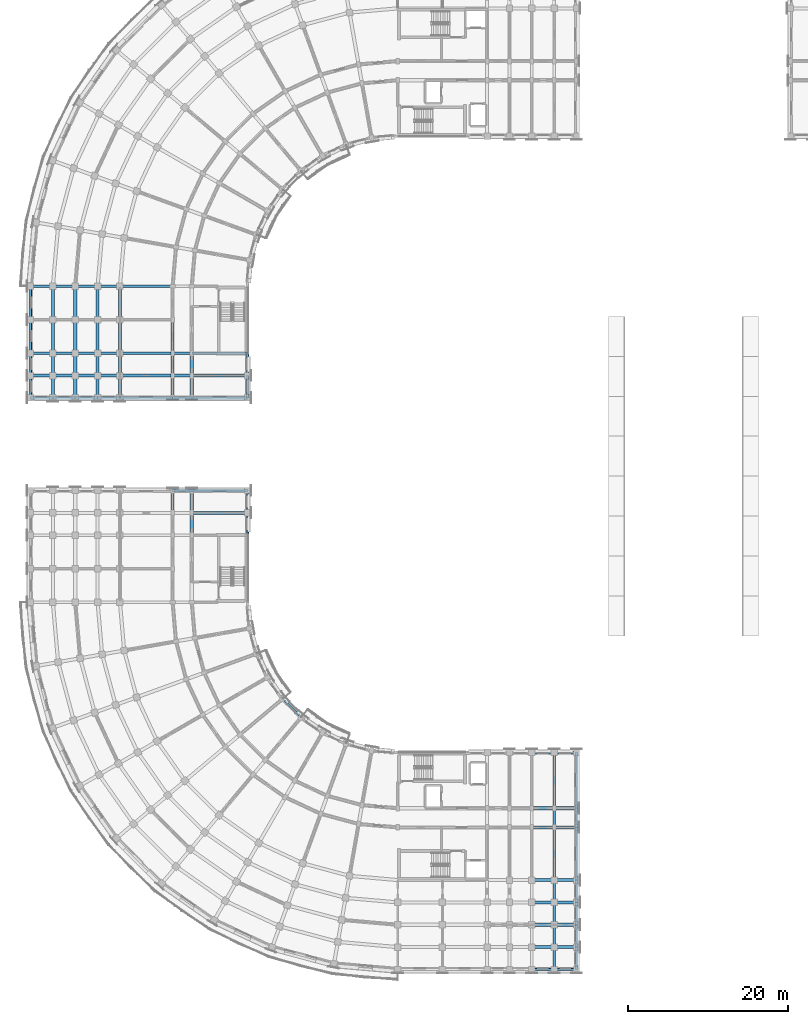
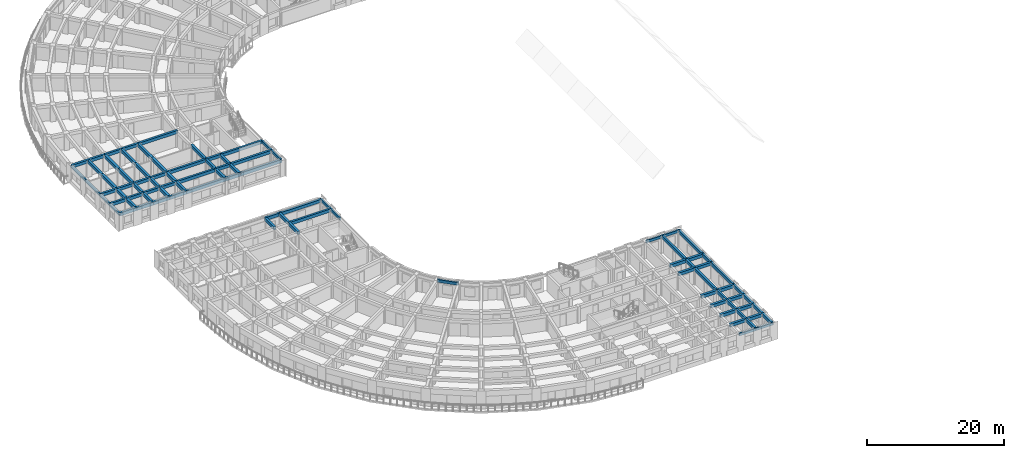
# One storey, part 6 of 54: 92 beams.
"""IFC4 building model written with IfcOpenShell, lengths in metres."""

from ifc_helpers import new_model, si_unit, direction, frame, origin, origin_2d, place, context, subcontext, project, spatial, rectangle, extrude, material, material_profile, profile_set, type_object, element, save


model = new_model("IFC4")

# Units and contexts
model_context = context("Model", 3, precision=1e-05, world=origin(), true_north=direction((0.0, 1.0)))
body_context = subcontext(model_context, "Body", "Model", "MODEL_VIEW")
ifc_project = project(units=[si_unit("LENGTHUNIT", "METRE"), si_unit("AREAUNIT", "SQUARE_METRE"), si_unit("VOLUMEUNIT", "CUBIC_METRE"), si_unit("PLANEANGLEUNIT", "RADIAN"), si_unit("MASSUNIT", "GRAM", prefix="KILO")], contexts=[model_context])

# Site, building, storey
site_placement = place(None, origin())
site = spatial("IfcSite", under=ifc_project, at=site_placement, CompositionType="ELEMENT")
building_placement = place(site_placement, origin())
building = spatial("IfcBuilding", under=site, at=building_placement, Name="Kiranvali Square Residences", CompositionType="ELEMENT")
storey_placement = place(building_placement, frame((0.0, 0.0, 11.85009765625)))
storey = spatial("IfcBuildingStorey", under=building, at=storey_placement, Name="L03", CompositionType="ELEMENT", Elevation=11.85009765625)

# Beams
ifc_material_1 = material(Name="Concrete M40 (40 MPa)", Category="concrete")
ifc_material_profile_1 = material_profile(ifc_material_1, rectangle(XDim=0.35009765625, YDim=0.550048828125, at=origin_2d()), Name="RC 350x550")
ifc_profile_set_1 = profile_set([ifc_material_profile_1], Name="Concrete M40 (40 MPa)")
beam_type_1 = type_object("IfcBeamType", Name="BM-M40-350x550", PredefinedType="BEAM", material=ifc_profile_set_1)
beam_1_placement = place(storey_placement, frame((20.0, 87.800048828125, 2.65478515625), z_axis=(-1.0, 0.0, 0.0), x_axis=(0.0, -1.0, 0.0)))
element("IfcBeam", 1, at=beam_1_placement, inside=storey, type_object=beam_type_1, Name="L03 beam BM-A-L03-A2T0-23", PredefinedType="BEAM", context=body_context, shape_type="SweptSolid", body=[
    extrude(rectangle(XDim=0.35009765625, YDim=0.550048828125, at=origin_2d()), origin(), (0.0, 0.0, 1.0), 6.60009765625),
])
beam_2_placement = place(storey_placement, frame((13.39990234375, 87.800048828125, 2.65478515625), z_axis=(-1.0, 0.0, 0.0), x_axis=(0.0, -1.0, 0.0)))
element("IfcBeam", 2, at=beam_2_placement, inside=storey, type_object=beam_type_1, Name="L03 beam BM-A-L03-A2T0-34", PredefinedType="BEAM", context=body_context, shape_type="SweptSolid", body=[
    extrude(rectangle(XDim=0.35009765625, YDim=0.550048828125, at=origin_2d()), origin(), (0.0, 0.0, 1.0), 2.7998046875),
])
for number, where, z_axis, x_axis, name in (
    (3, (10.60009765625, 87.800048828125, 2.65478515625), (-1.0, 0.0, 0.0), (0.0, -1.0, 0.0), "L03 beam BM-A-L03-A2T0-45"),
    (4, (7.800048828125, 87.800048828125, 2.65478515625), (-1.0, 0.0, 0.0), (0.0, -1.0, 0.0), "L03 beam BM-A-L03-A2T0-56"),
    (5, (5.0, 87.800048828125, 2.65478515625), (-1.0, 0.0, 0.0), (0.0, -1.0, 0.0), "L03 beam BM-A-L03-A2T0-67"),
):
    element("IfcBeam", number, at=place(storey_placement, frame(where, z_axis=z_axis, x_axis=x_axis)), inside=storey, type_object=beam_type_1, Name=name, PredefinedType="BEAM", context=body_context, shape_type="SweptSolid", body=[
        extrude(rectangle(XDim=0.35009765625, YDim=0.550048828125, at=origin_2d()), origin(), (0.0, 0.0, 1.0), 2.800048828125),
    ])
beam_3_placement = place(storey_placement, frame((29.39990234375, 79.39990234375, 2.65478515625), z_axis=(-1.0, 0.0, 0.0), x_axis=(0.0, -1.0, 0.0)))
element("IfcBeam", 6, at=beam_3_placement, inside=storey, type_object=beam_type_1, Name="L03 beam BM-A-L03-A2T1-01", PredefinedType="BEAM", context=body_context, shape_type="SweptSolid", body=[
    extrude(rectangle(XDim=0.35009765625, YDim=0.550048828125, at=origin_2d()), origin(), (0.0, 0.0, 1.0), 7.0),
])
beam_4_placement = place(storey_placement, frame((22.39990234375, 79.39990234375, 2.65478515625), z_axis=(-1.0, 0.0, 0.0), x_axis=(0.0, -1.0, 0.0)))
element("IfcBeam", 7, at=beam_4_placement, inside=storey, type_object=beam_type_1, Name="L03 beam BM-A-L03-A2T1-12", PredefinedType="BEAM", context=body_context, shape_type="SweptSolid", body=[
    extrude(rectangle(XDim=0.35009765625, YDim=0.550048828125, at=origin_2d()), origin(), (0.0, 0.0, 1.0), 2.39990234375),
])
beam_5_placement = place(storey_placement, frame((20.0, 79.39990234375, 2.65478515625), z_axis=(-1.0, 0.0, 0.0), x_axis=(0.0, -1.0, 0.0)))
element("IfcBeam", 8, at=beam_5_placement, inside=storey, type_object=beam_type_1, Name="L03 beam BM-A-L03-A2T1-23", PredefinedType="BEAM", context=body_context, shape_type="SweptSolid", body=[
    extrude(rectangle(XDim=0.35009765625, YDim=0.550048828125, at=origin_2d()), origin(), (0.0, 0.0, 1.0), 6.60009765625),
])
beam_6_placement = place(storey_placement, frame((13.39990234375, 79.39990234375, 2.65478515625), z_axis=(-1.0, 0.0, 0.0), x_axis=(0.0, -1.0, 0.0)))
element("IfcBeam", 9, at=beam_6_placement, inside=storey, type_object=beam_type_1, Name="L03 beam BM-A-L03-A2T1-34", PredefinedType="BEAM", context=body_context, shape_type="SweptSolid", body=[
    extrude(rectangle(XDim=0.35009765625, YDim=0.550048828125, at=origin_2d()), origin(), (0.0, 0.0, 1.0), 2.7998046875),
])
for number, where, z_axis, x_axis, name in (
    (10, (10.60009765625, 79.39990234375, 2.65478515625), (-1.0, 0.0, 0.0), (0.0, -1.0, 0.0), "L03 beam BM-A-L03-A2T1-45"),
    (11, (7.800048828125, 79.39990234375, 2.65478515625), (-1.0, 0.0, 0.0), (0.0, -1.0, 0.0), "L03 beam BM-A-L03-A2T1-56"),
    (12, (5.0, 79.39990234375, 2.65478515625), (-1.0, 0.0, 0.0), (0.0, -1.0, 0.0), "L03 beam BM-A-L03-A2T1-67"),
):
    element("IfcBeam", number, at=place(storey_placement, frame(where, z_axis=z_axis, x_axis=x_axis)), inside=storey, type_object=beam_type_1, Name=name, PredefinedType="BEAM", context=body_context, shape_type="SweptSolid", body=[
        extrude(rectangle(XDim=0.35009765625, YDim=0.550048828125, at=origin_2d()), origin(), (0.0, 0.0, 1.0), 2.800048828125),
    ])
beam_7_placement = place(storey_placement, frame((29.39990234375, 76.60009765625, 2.65478515625), z_axis=(-1.0, 0.0, 0.0), x_axis=(0.0, -1.0, 0.0)))
element("IfcBeam", 13, at=beam_7_placement, inside=storey, type_object=beam_type_1, Name="L03 beam BM-A-L03-A2T2-01", PredefinedType="BEAM", context=body_context, shape_type="SweptSolid", body=[
    extrude(rectangle(XDim=0.35009765625, YDim=0.550048828125, at=origin_2d()), origin(), (0.0, 0.0, 1.0), 7.0),
])
beam_8_placement = place(storey_placement, frame((22.39990234375, 76.60009765625, 2.65478515625), z_axis=(-1.0, 0.0, 0.0), x_axis=(0.0, -1.0, 0.0)))
element("IfcBeam", 14, at=beam_8_placement, inside=storey, type_object=beam_type_1, Name="L03 beam BM-A-L03-A2T2-12", PredefinedType="BEAM", context=body_context, shape_type="SweptSolid", body=[
    extrude(rectangle(XDim=0.35009765625, YDim=0.550048828125, at=origin_2d()), origin(), (0.0, 0.0, 1.0), 2.39990234375),
])
beam_9_placement = place(storey_placement, frame((20.0, 76.60009765625, 2.65478515625), z_axis=(-1.0, 0.0, 0.0), x_axis=(0.0, -1.0, 0.0)))
element("IfcBeam", 15, at=beam_9_placement, inside=storey, type_object=beam_type_1, Name="L03 beam BM-A-L03-A2T2-23", PredefinedType="BEAM", context=body_context, shape_type="SweptSolid", body=[
    extrude(rectangle(XDim=0.35009765625, YDim=0.550048828125, at=origin_2d()), origin(), (0.0, 0.0, 1.0), 6.60009765625),
])
beam_10_placement = place(storey_placement, frame((13.39990234375, 76.60009765625, 2.65478515625), z_axis=(-1.0, 0.0, 0.0), x_axis=(0.0, -1.0, 0.0)))
element("IfcBeam", 16, at=beam_10_placement, inside=storey, type_object=beam_type_1, Name="L03 beam BM-A-L03-A2T2-34", PredefinedType="BEAM", context=body_context, shape_type="SweptSolid", body=[
    extrude(rectangle(XDim=0.35009765625, YDim=0.550048828125, at=origin_2d()), origin(), (0.0, 0.0, 1.0), 2.7998046875),
])
for number, where, z_axis, x_axis, name in (
    (17, (10.60009765625, 76.60009765625, 2.65478515625), (-1.0, 0.0, 0.0), (0.0, -1.0, 0.0), "L03 beam BM-A-L03-A2T2-45"),
    (18, (7.800048828125, 76.60009765625, 2.65478515625), (-1.0, 0.0, 0.0), (0.0, -1.0, 0.0), "L03 beam BM-A-L03-A2T2-56"),
    (19, (5.0, 76.60009765625, 2.65478515625), (-1.0, 0.0, 0.0), (0.0, -1.0, 0.0), "L03 beam BM-A-L03-A2T2-67"),
):
    element("IfcBeam", number, at=place(storey_placement, frame(where, z_axis=z_axis, x_axis=x_axis)), inside=storey, type_object=beam_type_1, Name=name, PredefinedType="BEAM", context=body_context, shape_type="SweptSolid", body=[
        extrude(rectangle(XDim=0.35009765625, YDim=0.550048828125, at=origin_2d()), origin(), (0.0, 0.0, 1.0), 2.800048828125),
    ])
beam_11_placement = place(storey_placement, frame((29.39990234375, 73.800048828125, 2.65478515625), z_axis=(-1.0, 0.0, 0.0), x_axis=(0.0, -1.0, 0.0)))
element("IfcBeam", 20, at=beam_11_placement, inside=storey, type_object=beam_type_1, Name="L03 beam BM-A-L03-A2T3-01", PredefinedType="BEAM", context=body_context, shape_type="SweptSolid", body=[
    extrude(rectangle(XDim=0.35009765625, YDim=0.550048828125, at=origin_2d()), origin(), (0.0, 0.0, 1.0), 7.0),
])
beam_12_placement = place(storey_placement, frame((22.39990234375, 73.800048828125, 2.65478515625), z_axis=(-1.0, 0.0, 0.0), x_axis=(0.0, -1.0, 0.0)))
element("IfcBeam", 21, at=beam_12_placement, inside=storey, type_object=beam_type_1, Name="L03 beam BM-A-L03-A2T3-12", PredefinedType="BEAM", context=body_context, shape_type="SweptSolid", body=[
    extrude(rectangle(XDim=0.35009765625, YDim=0.550048828125, at=origin_2d()), origin(), (0.0, 0.0, 1.0), 2.39990234375),
])
beam_13_placement = place(storey_placement, frame((20.0, 73.800048828125, 2.65478515625), z_axis=(-1.0, 0.0, 0.0), x_axis=(0.0, -1.0, 0.0)))
element("IfcBeam", 22, at=beam_13_placement, inside=storey, type_object=beam_type_1, Name="L03 beam BM-A-L03-A2T3-23", PredefinedType="BEAM", context=body_context, shape_type="SweptSolid", body=[
    extrude(rectangle(XDim=0.35009765625, YDim=0.550048828125, at=origin_2d()), origin(), (0.0, 0.0, 1.0), 6.60009765625),
])
beam_14_placement = place(storey_placement, frame((13.39990234375, 73.800048828125, 2.65478515625), z_axis=(-1.0, 0.0, 0.0), x_axis=(0.0, -1.0, 0.0)))
element("IfcBeam", 23, at=beam_14_placement, inside=storey, type_object=beam_type_1, Name="L03 beam BM-A-L03-A2T3-34", PredefinedType="BEAM", context=body_context, shape_type="SweptSolid", body=[
    extrude(rectangle(XDim=0.35009765625, YDim=0.550048828125, at=origin_2d()), origin(), (0.0, 0.0, 1.0), 2.7998046875),
])
for number, where, z_axis, x_axis, name in (
    (24, (10.60009765625, 73.800048828125, 2.65478515625), (-1.0, 0.0, 0.0), (0.0, -1.0, 0.0), "L03 beam BM-A-L03-A2T3-45"),
    (25, (7.800048828125, 73.800048828125, 2.65478515625), (-1.0, 0.0, 0.0), (0.0, -1.0, 0.0), "L03 beam BM-A-L03-A2T3-56"),
    (26, (5.0, 73.800048828125, 2.65478515625), (-1.0, 0.0, 0.0), (0.0, -1.0, 0.0), "L03 beam BM-A-L03-A2T3-67"),
):
    element("IfcBeam", number, at=place(storey_placement, frame(where, z_axis=z_axis, x_axis=x_axis)), inside=storey, type_object=beam_type_1, Name=name, PredefinedType="BEAM", context=body_context, shape_type="SweptSolid", body=[
        extrude(rectangle(XDim=0.35009765625, YDim=0.550048828125, at=origin_2d()), origin(), (0.0, 0.0, 1.0), 2.800048828125),
    ])
beam_15_placement = place(storey_placement, frame((67.800048828125, 29.39990234375, 2.65478515625), z_axis=(0.0, -1.0, 0.0), x_axis=(1.0, 0.0, 0.0)))
element("IfcBeam", 27, at=beam_15_placement, inside=storey, type_object=beam_type_1, Name="L03 beam BM-C-L03-A1T4-01", PredefinedType="BEAM", context=body_context, shape_type="SweptSolid", body=[
    extrude(rectangle(XDim=0.35009765625, YDim=0.550048828125, at=origin_2d()), origin(), (0.0, 0.0, 1.0), 7.0),
])
beam_16_placement = place(storey_placement, frame((67.800048828125, 22.39990234375, 2.65478515625), z_axis=(0.0, -1.0, 0.0), x_axis=(1.0, 0.0, 0.0)))
element("IfcBeam", 28, at=beam_16_placement, inside=storey, type_object=beam_type_1, Name="L03 beam BM-C-L03-A1T4-12", PredefinedType="BEAM", context=body_context, shape_type="SweptSolid", body=[
    extrude(rectangle(XDim=0.35009765625, YDim=0.550048828125, at=origin_2d()), origin(), (0.0, 0.0, 1.0), 2.39990234375),
])
beam_17_placement = place(storey_placement, frame((67.800048828125, 20.0, 2.65478515625), z_axis=(0.0, -1.0, 0.0), x_axis=(1.0, 0.0, 0.0)))
element("IfcBeam", 29, at=beam_17_placement, inside=storey, type_object=beam_type_1, Name="L03 beam BM-C-L03-A1T4-23", PredefinedType="BEAM", context=body_context, shape_type="SweptSolid", body=[
    extrude(rectangle(XDim=0.35009765625, YDim=0.550048828125, at=origin_2d()), origin(), (0.0, 0.0, 1.0), 6.60009765625),
])
beam_18_placement = place(storey_placement, frame((67.800048828125, 13.39990234375, 2.65478515625), z_axis=(0.0, -1.0, 0.0), x_axis=(1.0, 0.0, 0.0)))
element("IfcBeam", 30, at=beam_18_placement, inside=storey, type_object=beam_type_1, Name="L03 beam BM-C-L03-A1T4-34", PredefinedType="BEAM", context=body_context, shape_type="SweptSolid", body=[
    extrude(rectangle(XDim=0.35009765625, YDim=0.550048828125, at=origin_2d()), origin(), (0.0, 0.0, 1.0), 2.7998046875),
])
for number, where, z_axis, x_axis, name in (
    (31, (67.800048828125, 10.60009765625, 2.65478515625), (0.0, -1.0, 0.0), (1.0, 0.0, 0.0), "L03 beam BM-C-L03-A1T4-45"),
    (32, (67.800048828125, 7.800048828125, 2.65478515625), (0.0, -1.0, 0.0), (1.0, 0.0, 0.0), "L03 beam BM-C-L03-A1T4-56"),
    (33, (67.800048828125, 5.0, 2.65478515625), (0.0, -1.0, 0.0), (1.0, 0.0, 0.0), "L03 beam BM-C-L03-A1T4-67"),
):
    element("IfcBeam", number, at=place(storey_placement, frame(where, z_axis=z_axis, x_axis=x_axis)), inside=storey, type_object=beam_type_1, Name=name, PredefinedType="BEAM", context=body_context, shape_type="SweptSolid", body=[
        extrude(rectangle(XDim=0.35009765625, YDim=0.550048828125, at=origin_2d()), origin(), (0.0, 0.0, 1.0), 2.800048828125),
    ])
beam_19_placement = place(storey_placement, frame((70.60009765625, 29.39990234375, 2.65478515625), z_axis=(0.0, -1.0, 0.0), x_axis=(1.0, 0.0, 0.0)))
element("IfcBeam", 34, at=beam_19_placement, inside=storey, type_object=beam_type_1, Name="L03 beam BM-C-L03-A1T5-01", PredefinedType="BEAM", context=body_context, shape_type="SweptSolid", body=[
    extrude(rectangle(XDim=0.35009765625, YDim=0.550048828125, at=origin_2d()), origin(), (0.0, 0.0, 1.0), 7.0),
])
beam_20_placement = place(storey_placement, frame((70.60009765625, 22.39990234375, 2.65478515625), z_axis=(0.0, -1.0, 0.0), x_axis=(1.0, 0.0, 0.0)))
element("IfcBeam", 35, at=beam_20_placement, inside=storey, type_object=beam_type_1, Name="L03 beam BM-C-L03-A1T5-12", PredefinedType="BEAM", context=body_context, shape_type="SweptSolid", body=[
    extrude(rectangle(XDim=0.35009765625, YDim=0.550048828125, at=origin_2d()), origin(), (0.0, 0.0, 1.0), 2.39990234375),
])
beam_21_placement = place(storey_placement, frame((70.60009765625, 20.0, 2.65478515625), z_axis=(0.0, -1.0, 0.0), x_axis=(1.0, 0.0, 0.0)))
element("IfcBeam", 36, at=beam_21_placement, inside=storey, type_object=beam_type_1, Name="L03 beam BM-C-L03-A1T5-23", PredefinedType="BEAM", context=body_context, shape_type="SweptSolid", body=[
    extrude(rectangle(XDim=0.35009765625, YDim=0.550048828125, at=origin_2d()), origin(), (0.0, 0.0, 1.0), 6.60009765625),
])
beam_22_placement = place(storey_placement, frame((70.60009765625, 13.39990234375, 2.65478515625), z_axis=(0.0, -1.0, 0.0), x_axis=(1.0, 0.0, 0.0)))
element("IfcBeam", 37, at=beam_22_placement, inside=storey, type_object=beam_type_1, Name="L03 beam BM-C-L03-A1T5-34", PredefinedType="BEAM", context=body_context, shape_type="SweptSolid", body=[
    extrude(rectangle(XDim=0.35009765625, YDim=0.550048828125, at=origin_2d()), origin(), (0.0, 0.0, 1.0), 2.7998046875),
])
for number, where, z_axis, x_axis, name in (
    (38, (70.60009765625, 10.60009765625, 2.65478515625), (0.0, -1.0, 0.0), (1.0, 0.0, 0.0), "L03 beam BM-C-L03-A1T5-45"),
    (39, (70.60009765625, 7.800048828125, 2.65478515625), (0.0, -1.0, 0.0), (1.0, 0.0, 0.0), "L03 beam BM-C-L03-A1T5-56"),
    (40, (70.60009765625, 5.0, 2.65478515625), (0.0, -1.0, 0.0), (1.0, 0.0, 0.0), "L03 beam BM-C-L03-A1T5-67"),
):
    element("IfcBeam", number, at=place(storey_placement, frame(where, z_axis=z_axis, x_axis=x_axis)), inside=storey, type_object=beam_type_1, Name=name, PredefinedType="BEAM", context=body_context, shape_type="SweptSolid", body=[
        extrude(rectangle(XDim=0.35009765625, YDim=0.550048828125, at=origin_2d()), origin(), (0.0, 0.0, 1.0), 2.800048828125),
    ])
for number, where, z_axis, x_axis, name in (
    (41, (29.39990234375, 59.39990234375, 2.65478515625), (-1.0, 0.0, 0.0), (0.0, -1.0, 0.0), "L03 beam BM-C-L03-A2T2-01"),
    (42, (29.39990234375, 62.199951171875, 2.65478515625), (-1.0, 0.0, 0.0), (0.0, -1.0, 0.0), "L03 beam BM-C-L03-A2T3-01"),
):
    element("IfcBeam", number, at=place(storey_placement, frame(where, z_axis=z_axis, x_axis=x_axis)), inside=storey, type_object=beam_type_1, Name=name, PredefinedType="BEAM", context=body_context, shape_type="SweptSolid", body=[
        extrude(rectangle(XDim=0.35009765625, YDim=0.550048828125, at=origin_2d()), origin(), (0.0, 0.0, 1.0), 7.0),
    ])
beam_23_placement = place(storey_placement, frame((22.39990234375, 62.199951171875, 2.65478515625), z_axis=(-1.0, 0.0, 0.0), x_axis=(0.0, -1.0, 0.0)))
element("IfcBeam", 43, at=beam_23_placement, inside=storey, type_object=beam_type_1, Name="L03 beam BM-C-L03-A2T3-12", PredefinedType="BEAM", context=body_context, shape_type="SweptSolid", body=[
    extrude(rectangle(XDim=0.35009765625, YDim=0.550048828125, at=origin_2d()), origin(), (0.0, 0.0, 1.0), 2.39990234375),
])
ifc_material_2 = material(Name="Concrete M45 (45 MPa)", Category="concrete")
ifc_material_profile_2 = material_profile(ifc_material_2, rectangle(XDim=0.39990234375, YDim=0.550048828125, at=origin_2d()), Name="RC 400x550")
ifc_profile_set_2 = profile_set([ifc_material_profile_2], Name="Concrete M45 (45 MPa)")
beam_type_2 = type_object("IfcBeamType", Name="BM-M45-400x550", PredefinedType="BEAM", material=ifc_profile_set_2)
beam_24_placement = place(storey_placement, frame((22.39990234375, 79.39990234375, 2.65478515625), z_axis=(0.0, -1.0, 0.0), x_axis=(1.0, 0.0, 0.0)))
element("IfcBeam", 44, at=beam_24_placement, inside=storey, type_object=beam_type_2, Name="L03 beam BM-A-L03-A2V1-R1", PredefinedType="BEAM", context=body_context, shape_type="SweptSolid", body=[
    extrude(rectangle(XDim=0.39990234375, YDim=0.550048828125, at=origin_2d()), origin(), (0.0, 0.0, 1.0), 2.7998046875),
])
beam_25_placement = place(storey_placement, frame((22.39990234375, 76.60009765625, 2.65478515625), z_axis=(0.0, -1.0, 0.0), x_axis=(1.0, 0.0, 0.0)))
element("IfcBeam", 45, at=beam_25_placement, inside=storey, type_object=beam_type_2, Name="L03 beam BM-A-L03-A2V2-R1", PredefinedType="BEAM", context=body_context, shape_type="SweptSolid", body=[
    extrude(rectangle(XDim=0.39990234375, YDim=0.550048828125, at=origin_2d()), origin(), (0.0, 0.0, 1.0), 2.800048828125),
])
beam_26_placement = place(storey_placement, frame((20.0, 83.60009765625, 2.65478515625), z_axis=(0.0, -1.0, 0.0), x_axis=(1.0, 0.0, 0.0)))
element("IfcBeam", 46, at=beam_26_placement, inside=storey, type_object=beam_type_2, Name="L03 beam BM-A-L03-A2V1-R2", PredefinedType="BEAM", context=body_context, shape_type="SweptSolid", body=[
    extrude(rectangle(XDim=0.39990234375, YDim=0.550048828125, at=origin_2d()), origin(), (0.0, 0.0, 1.0), 4.2001953125),
])
beam_27_placement = place(storey_placement, frame((20.0, 79.39990234375, 2.65478515625), z_axis=(0.0, -1.0, 0.0), x_axis=(1.0, 0.0, 0.0)))
element("IfcBeam", 47, at=beam_27_placement, inside=storey, type_object=beam_type_2, Name="L03 beam BM-A-L03-A2V2-R2", PredefinedType="BEAM", context=body_context, shape_type="SweptSolid", body=[
    extrude(rectangle(XDim=0.39990234375, YDim=0.550048828125, at=origin_2d()), origin(), (0.0, 0.0, 1.0), 2.7998046875),
])
beam_28_placement = place(storey_placement, frame((20.0, 76.60009765625, 2.65478515625), z_axis=(0.0, -1.0, 0.0), x_axis=(1.0, 0.0, 0.0)))
element("IfcBeam", 48, at=beam_28_placement, inside=storey, type_object=beam_type_2, Name="L03 beam BM-A-L03-A2V3-R2", PredefinedType="BEAM", context=body_context, shape_type="SweptSolid", body=[
    extrude(rectangle(XDim=0.39990234375, YDim=0.550048828125, at=origin_2d()), origin(), (0.0, 0.0, 1.0), 2.800048828125),
])
beam_29_placement = place(storey_placement, frame((13.39990234375, 87.800048828125, 2.65478515625), z_axis=(0.0, -1.0, 0.0), x_axis=(1.0, 0.0, 0.0)))
element("IfcBeam", 49, at=beam_29_placement, inside=storey, type_object=beam_type_2, Name="L03 beam BM-A-L03-A2V0-R3", PredefinedType="BEAM", context=body_context, shape_type="SweptSolid", body=[
    extrude(rectangle(XDim=0.39990234375, YDim=0.550048828125, at=origin_2d()), origin(), (0.0, 0.0, 1.0), 4.199951171875),
])
beam_30_placement = place(storey_placement, frame((13.39990234375, 83.60009765625, 2.65478515625), z_axis=(0.0, -1.0, 0.0), x_axis=(1.0, 0.0, 0.0)))
element("IfcBeam", 50, at=beam_30_placement, inside=storey, type_object=beam_type_2, Name="L03 beam BM-A-L03-A2V1-R3", PredefinedType="BEAM", context=body_context, shape_type="SweptSolid", body=[
    extrude(rectangle(XDim=0.39990234375, YDim=0.550048828125, at=origin_2d()), origin(), (0.0, 0.0, 1.0), 4.2001953125),
])
beam_31_placement = place(storey_placement, frame((13.39990234375, 79.39990234375, 2.65478515625), z_axis=(0.0, -1.0, 0.0), x_axis=(1.0, 0.0, 0.0)))
element("IfcBeam", 51, at=beam_31_placement, inside=storey, type_object=beam_type_2, Name="L03 beam BM-A-L03-A2V2-R3", PredefinedType="BEAM", context=body_context, shape_type="SweptSolid", body=[
    extrude(rectangle(XDim=0.39990234375, YDim=0.550048828125, at=origin_2d()), origin(), (0.0, 0.0, 1.0), 2.7998046875),
])
beam_32_placement = place(storey_placement, frame((13.39990234375, 76.60009765625, 2.65478515625), z_axis=(0.0, -1.0, 0.0), x_axis=(1.0, 0.0, 0.0)))
element("IfcBeam", 52, at=beam_32_placement, inside=storey, type_object=beam_type_2, Name="L03 beam BM-A-L03-A2V3-R3", PredefinedType="BEAM", context=body_context, shape_type="SweptSolid", body=[
    extrude(rectangle(XDim=0.39990234375, YDim=0.550048828125, at=origin_2d()), origin(), (0.0, 0.0, 1.0), 2.800048828125),
])
beam_33_placement = place(storey_placement, frame((10.60009765625, 87.800048828125, 2.65478515625), z_axis=(0.0, -1.0, 0.0), x_axis=(1.0, 0.0, 0.0)))
element("IfcBeam", 53, at=beam_33_placement, inside=storey, type_object=beam_type_2, Name="L03 beam BM-A-L03-A2V0-R4", PredefinedType="BEAM", context=body_context, shape_type="SweptSolid", body=[
    extrude(rectangle(XDim=0.39990234375, YDim=0.550048828125, at=origin_2d()), origin(), (0.0, 0.0, 1.0), 4.199951171875),
])
beam_34_placement = place(storey_placement, frame((10.60009765625, 83.60009765625, 2.65478515625), z_axis=(0.0, -1.0, 0.0), x_axis=(1.0, 0.0, 0.0)))
element("IfcBeam", 54, at=beam_34_placement, inside=storey, type_object=beam_type_2, Name="L03 beam BM-A-L03-A2V1-R4", PredefinedType="BEAM", context=body_context, shape_type="SweptSolid", body=[
    extrude(rectangle(XDim=0.39990234375, YDim=0.550048828125, at=origin_2d()), origin(), (0.0, 0.0, 1.0), 4.2001953125),
])
beam_35_placement = place(storey_placement, frame((10.60009765625, 79.39990234375, 2.65478515625), z_axis=(0.0, -1.0, 0.0), x_axis=(1.0, 0.0, 0.0)))
element("IfcBeam", 55, at=beam_35_placement, inside=storey, type_object=beam_type_2, Name="L03 beam BM-A-L03-A2V2-R4", PredefinedType="BEAM", context=body_context, shape_type="SweptSolid", body=[
    extrude(rectangle(XDim=0.39990234375, YDim=0.550048828125, at=origin_2d()), origin(), (0.0, 0.0, 1.0), 2.7998046875),
])
beam_36_placement = place(storey_placement, frame((10.60009765625, 76.60009765625, 2.65478515625), z_axis=(0.0, -1.0, 0.0), x_axis=(1.0, 0.0, 0.0)))
element("IfcBeam", 56, at=beam_36_placement, inside=storey, type_object=beam_type_2, Name="L03 beam BM-A-L03-A2V3-R4", PredefinedType="BEAM", context=body_context, shape_type="SweptSolid", body=[
    extrude(rectangle(XDim=0.39990234375, YDim=0.550048828125, at=origin_2d()), origin(), (0.0, 0.0, 1.0), 2.800048828125),
])
beam_37_placement = place(storey_placement, frame((7.800048828125, 87.800048828125, 2.65478515625), z_axis=(0.0, -1.0, 0.0), x_axis=(1.0, 0.0, 0.0)))
element("IfcBeam", 57, at=beam_37_placement, inside=storey, type_object=beam_type_2, Name="L03 beam BM-A-L03-A2V0-R5", PredefinedType="BEAM", context=body_context, shape_type="SweptSolid", body=[
    extrude(rectangle(XDim=0.39990234375, YDim=0.550048828125, at=origin_2d()), origin(), (0.0, 0.0, 1.0), 4.199951171875),
])
beam_38_placement = place(storey_placement, frame((7.800048828125, 83.60009765625, 2.65478515625), z_axis=(0.0, -1.0, 0.0), x_axis=(1.0, 0.0, 0.0)))
element("IfcBeam", 58, at=beam_38_placement, inside=storey, type_object=beam_type_2, Name="L03 beam BM-A-L03-A2V1-R5", PredefinedType="BEAM", context=body_context, shape_type="SweptSolid", body=[
    extrude(rectangle(XDim=0.39990234375, YDim=0.550048828125, at=origin_2d()), origin(), (0.0, 0.0, 1.0), 4.2001953125),
])
beam_39_placement = place(storey_placement, frame((7.800048828125, 79.39990234375, 2.65478515625), z_axis=(0.0, -1.0, 0.0), x_axis=(1.0, 0.0, 0.0)))
element("IfcBeam", 59, at=beam_39_placement, inside=storey, type_object=beam_type_2, Name="L03 beam BM-A-L03-A2V2-R5", PredefinedType="BEAM", context=body_context, shape_type="SweptSolid", body=[
    extrude(rectangle(XDim=0.39990234375, YDim=0.550048828125, at=origin_2d()), origin(), (0.0, 0.0, 1.0), 2.7998046875),
])
beam_40_placement = place(storey_placement, frame((7.800048828125, 76.60009765625, 2.65478515625), z_axis=(0.0, -1.0, 0.0), x_axis=(1.0, 0.0, 0.0)))
element("IfcBeam", 60, at=beam_40_placement, inside=storey, type_object=beam_type_2, Name="L03 beam BM-A-L03-A2V3-R5", PredefinedType="BEAM", context=body_context, shape_type="SweptSolid", body=[
    extrude(rectangle(XDim=0.39990234375, YDim=0.550048828125, at=origin_2d()), origin(), (0.0, 0.0, 1.0), 2.800048828125),
])
beam_41_placement = place(storey_placement, frame((5.0, 87.800048828125, 2.65478515625), z_axis=(0.0, -1.0, 0.0), x_axis=(1.0, 0.0, 0.0)))
element("IfcBeam", 61, at=beam_41_placement, inside=storey, type_object=beam_type_2, Name="L03 beam BM-A-L03-A2V0-R6", PredefinedType="BEAM", context=body_context, shape_type="SweptSolid", body=[
    extrude(rectangle(XDim=0.39990234375, YDim=0.550048828125, at=origin_2d()), origin(), (0.0, 0.0, 1.0), 4.199951171875),
])
beam_42_placement = place(storey_placement, frame((5.0, 83.60009765625, 2.65478515625), z_axis=(0.0, -1.0, 0.0), x_axis=(1.0, 0.0, 0.0)))
element("IfcBeam", 62, at=beam_42_placement, inside=storey, type_object=beam_type_2, Name="L03 beam BM-A-L03-A2V1-R6", PredefinedType="BEAM", context=body_context, shape_type="SweptSolid", body=[
    extrude(rectangle(XDim=0.39990234375, YDim=0.550048828125, at=origin_2d()), origin(), (0.0, 0.0, 1.0), 4.2001953125),
])
beam_43_placement = place(storey_placement, frame((5.0, 79.39990234375, 2.65478515625), z_axis=(0.0, -1.0, 0.0), x_axis=(1.0, 0.0, 0.0)))
element("IfcBeam", 63, at=beam_43_placement, inside=storey, type_object=beam_type_2, Name="L03 beam BM-A-L03-A2V2-R6", PredefinedType="BEAM", context=body_context, shape_type="SweptSolid", body=[
    extrude(rectangle(XDim=0.39990234375, YDim=0.550048828125, at=origin_2d()), origin(), (0.0, 0.0, 1.0), 2.7998046875),
])
for number, where, z_axis, x_axis, name in (
    (64, (5.0, 76.60009765625, 2.65478515625), (0.0, -1.0, 0.0), (1.0, 0.0, 0.0), "L03 beam BM-A-L03-A2V3-R6"),
    (65, (65.0, 22.39990234375, 2.65478515625), (1.0, 0.0, 0.0), (0.0, 1.0, 0.0), "L03 beam BM-C-L03-A1U3-R1"),
    (66, (67.800048828125, 22.39990234375, 2.65478515625), (1.0, 0.0, 0.0), (0.0, 1.0, 0.0), "L03 beam BM-C-L03-A1U4-R1"),
    (67, (65.0, 20.0, 2.65478515625), (1.0, 0.0, 0.0), (0.0, 1.0, 0.0), "L03 beam BM-C-L03-A1U3-R2"),
    (68, (67.800048828125, 20.0, 2.65478515625), (1.0, 0.0, 0.0), (0.0, 1.0, 0.0), "L03 beam BM-C-L03-A1U4-R2"),
    (69, (65.0, 13.39990234375, 2.65478515625), (1.0, 0.0, 0.0), (0.0, 1.0, 0.0), "L03 beam BM-C-L03-A1U3-R3"),
    (70, (67.800048828125, 13.39990234375, 2.65478515625), (1.0, 0.0, 0.0), (0.0, 1.0, 0.0), "L03 beam BM-C-L03-A1U4-R3"),
    (71, (65.0, 10.60009765625, 2.65478515625), (1.0, 0.0, 0.0), (0.0, 1.0, 0.0), "L03 beam BM-C-L03-A1U4-R4"),
    (72, (67.800048828125, 10.60009765625, 2.65478515625), (1.0, 0.0, 0.0), (0.0, 1.0, 0.0), "L03 beam BM-C-L03-A1U5-R4"),
    (73, (65.0, 7.800048828125, 2.65478515625), (1.0, 0.0, 0.0), (0.0, 1.0, 0.0), "L03 beam BM-C-L03-A1U4-R5"),
    (74, (67.800048828125, 7.800048828125, 2.65478515625), (1.0, 0.0, 0.0), (0.0, 1.0, 0.0), "L03 beam BM-C-L03-A1U5-R5"),
    (75, (65.0, 5.0, 2.65478515625), (1.0, 0.0, 0.0), (0.0, 1.0, 0.0), "L03 beam BM-C-L03-A1U4-R6"),
    (76, (67.800048828125, 5.0, 2.65478515625), (1.0, 0.0, 0.0), (0.0, 1.0, 0.0), "L03 beam BM-C-L03-A1U5-R6"),
):
    element("IfcBeam", number, at=place(storey_placement, frame(where, z_axis=z_axis, x_axis=x_axis)), inside=storey, type_object=beam_type_2, Name=name, PredefinedType="BEAM", context=body_context, shape_type="SweptSolid", body=[
        extrude(rectangle(XDim=0.39990234375, YDim=0.550048828125, at=origin_2d()), origin(), (0.0, 0.0, 1.0), 2.800048828125),
    ])
beam_44_placement = place(storey_placement, frame((22.39990234375, 56.60009765625, 2.65478515625), z_axis=(0.0, 1.0, 0.0), x_axis=(-1.0, 0.0, 0.0)))
element("IfcBeam", 77, at=beam_44_placement, inside=storey, type_object=beam_type_2, Name="L03 beam BM-C-L03-A2V1-R1", PredefinedType="BEAM", context=body_context, shape_type="SweptSolid", body=[
    extrude(rectangle(XDim=0.39990234375, YDim=0.550048828125, at=origin_2d()), origin(), (0.0, 0.0, 1.0), 2.7998046875),
])
for number, where, z_axis, x_axis, name in (
    (78, (22.39990234375, 59.39990234375, 2.65478515625), (0.0, 1.0, 0.0), (-1.0, 0.0, 0.0), "L03 beam BM-C-L03-A2V2-R1"),
    (79, (20.0, 59.39990234375, 2.65478515625), (0.0, 1.0, 0.0), (-1.0, 0.0, 0.0), "L03 beam BM-C-L03-A2V3-R2"),
):
    element("IfcBeam", number, at=place(storey_placement, frame(where, z_axis=z_axis, x_axis=x_axis)), inside=storey, type_object=beam_type_2, Name=name, PredefinedType="BEAM", context=body_context, shape_type="SweptSolid", body=[
        extrude(rectangle(XDim=0.39990234375, YDim=0.550048828125, at=origin_2d()), origin(), (0.0, 0.0, 1.0), 2.800048828125),
    ])
ifc_material_profile_3 = material_profile(ifc_material_1, rectangle(XDim=0.25, YDim=0.449951171875, at=origin_2d()), Name="RC 250x450")
ifc_profile_set_3 = profile_set([ifc_material_profile_3], Name="Concrete M40 (40 MPa)")
beam_type_3 = type_object("IfcBeamType", Name="SPN-M40-250x450", PredefinedType="SPANDREL", material=ifc_profile_set_3)
beam_45_placement = place(storey_placement, frame((29.39990234375, 79.39990234375, 2.704833984375), z_axis=(0.0, -1.0, 0.0), x_axis=(1.0, 0.0, 0.0)))
element("IfcBeam", 80, at=beam_45_placement, inside=storey, type_object=beam_type_3, Name="L03 beam BM-A-L03-A2V1-R0", PredefinedType="SPANDREL", context=body_context, shape_type="SweptSolid", body=[
    extrude(rectangle(XDim=0.25, YDim=0.449951171875, at=origin_2d()), origin(), (0.0, 0.0, 1.0), 2.7998046875),
])
beam_46_placement = place(storey_placement, frame((29.39990234375, 76.60009765625, 2.704833984375), z_axis=(0.0, -1.0, 0.0), x_axis=(1.0, 0.0, 0.0)))
element("IfcBeam", 81, at=beam_46_placement, inside=storey, type_object=beam_type_3, Name="L03 beam BM-A-L03-A2V2-R0", PredefinedType="SPANDREL", context=body_context, shape_type="SweptSolid", body=[
    extrude(rectangle(XDim=0.25, YDim=0.449951171875, at=origin_2d()), origin(), (0.0, 0.0, 1.0), 2.800048828125),
])
beam_47_placement = place(storey_placement, frame((2.199951171875, 87.800048828125, 2.704833984375), z_axis=(0.0, -1.0, 0.0), x_axis=(1.0, 0.0, 0.0)))
element("IfcBeam", 82, at=beam_47_placement, inside=storey, type_object=beam_type_3, Name="L03 beam BM-A-L03-A2V0-R7", PredefinedType="SPANDREL", context=body_context, shape_type="SweptSolid", body=[
    extrude(rectangle(XDim=0.25, YDim=0.449951171875, at=origin_2d()), origin(), (0.0, 0.0, 1.0), 4.199951171875),
])
beam_48_placement = place(storey_placement, frame((2.199951171875, 83.60009765625, 2.704833984375), z_axis=(0.0, -1.0, 0.0), x_axis=(1.0, 0.0, 0.0)))
element("IfcBeam", 83, at=beam_48_placement, inside=storey, type_object=beam_type_3, Name="L03 beam BM-A-L03-A2V1-R7", PredefinedType="SPANDREL", context=body_context, shape_type="SweptSolid", body=[
    extrude(rectangle(XDim=0.25, YDim=0.449951171875, at=origin_2d()), origin(), (0.0, 0.0, 1.0), 4.2001953125),
])
beam_49_placement = place(storey_placement, frame((2.199951171875, 79.39990234375, 2.704833984375), z_axis=(0.0, -1.0, 0.0), x_axis=(1.0, 0.0, 0.0)))
element("IfcBeam", 84, at=beam_49_placement, inside=storey, type_object=beam_type_3, Name="L03 beam BM-A-L03-A2V2-R7", PredefinedType="SPANDREL", context=body_context, shape_type="SweptSolid", body=[
    extrude(rectangle(XDim=0.25, YDim=0.449951171875, at=origin_2d()), origin(), (0.0, 0.0, 1.0), 2.7998046875),
])
for number, where, z_axis, x_axis, name in (
    (85, (2.199951171875, 76.60009765625, 2.704833984375), (0.0, -1.0, 0.0), (1.0, 0.0, 0.0), "L03 beam BM-A-L03-A2V3-R7"),
    (86, (65.0, 29.39990234375, 2.704833984375), (1.0, 0.0, 0.0), (0.0, 1.0, 0.0), "L03 beam BM-C-L03-A1U3-R0"),
    (87, (67.800048828125, 29.39990234375, 2.704833984375), (1.0, 0.0, 0.0), (0.0, 1.0, 0.0), "L03 beam BM-C-L03-A1U4-R0"),
    (88, (65.0, 2.199951171875, 2.704833984375), (1.0, 0.0, 0.0), (0.0, 1.0, 0.0), "L03 beam BM-C-L03-A1U4-R7"),
    (89, (67.800048828125, 2.199951171875, 2.704833984375), (1.0, 0.0, 0.0), (0.0, 1.0, 0.0), "L03 beam BM-C-L03-A1U5-R7"),
):
    element("IfcBeam", number, at=place(storey_placement, frame(where, z_axis=z_axis, x_axis=x_axis)), inside=storey, type_object=beam_type_3, Name=name, PredefinedType="SPANDREL", context=body_context, shape_type="SweptSolid", body=[
        extrude(rectangle(XDim=0.25, YDim=0.449951171875, at=origin_2d()), origin(), (0.0, 0.0, 1.0), 2.800048828125),
    ])
beam_50_placement = place(storey_placement, frame((29.39990234375, 56.60009765625, 2.704833984375), z_axis=(0.0, 1.0, 0.0), x_axis=(-1.0, 0.0, 0.0)))
element("IfcBeam", 90, at=beam_50_placement, inside=storey, type_object=beam_type_3, Name="L03 beam BM-C-L03-A2V1-R0", PredefinedType="SPANDREL", context=body_context, shape_type="SweptSolid", body=[
    extrude(rectangle(XDim=0.25, YDim=0.449951171875, at=origin_2d()), origin(), (0.0, 0.0, 1.0), 2.7998046875),
])
beam_51_placement = place(storey_placement, frame((29.39990234375, 59.39990234375, 2.704833984375), z_axis=(0.0, 1.0, 0.0), x_axis=(-1.0, 0.0, 0.0)))
element("IfcBeam", 91, at=beam_51_placement, inside=storey, type_object=beam_type_3, Name="L03 beam BM-C-L03-A2V2-R0", PredefinedType="SPANDREL", context=body_context, shape_type="SweptSolid", body=[
    extrude(rectangle(XDim=0.25, YDim=0.449951171875, at=origin_2d()), origin(), (0.0, 0.0, 1.0), 2.800048828125),
])
ifc_material_profile_4 = material_profile(ifc_material_1, rectangle(XDim=0.25, YDim=0.5, at=origin_2d()), Name="RC 250x500")
ifc_profile_set_4 = profile_set([ifc_material_profile_4], Name="Concrete M40 (40 MPa)")
beam_type_4 = type_object("IfcBeamType", Name="SPN-M40-250x500", PredefinedType="SPANDREL", material=ifc_profile_set_4)
beam_52_placement = place(storey_placement, frame((36.115478515625, 33.79833984375, 2.679931640625), z_axis=(-0.707106781187, 0.707106781187, 0.0), x_axis=(-0.707106781187, -0.707106781187, 0.0)))
element("IfcBeam", 92, at=beam_52_placement, inside=storey, type_object=beam_type_4, Name="L03 beam BM-C-L03-C04-R0", PredefinedType="SPANDREL", context=body_context, shape_type="SweptSolid", body=[
    extrude(rectangle(XDim=0.25, YDim=0.5, at=origin_2d()), origin(), (0.0, 0.0, 1.0), 3.27685546875),
])

save(model, "model.ifc")
